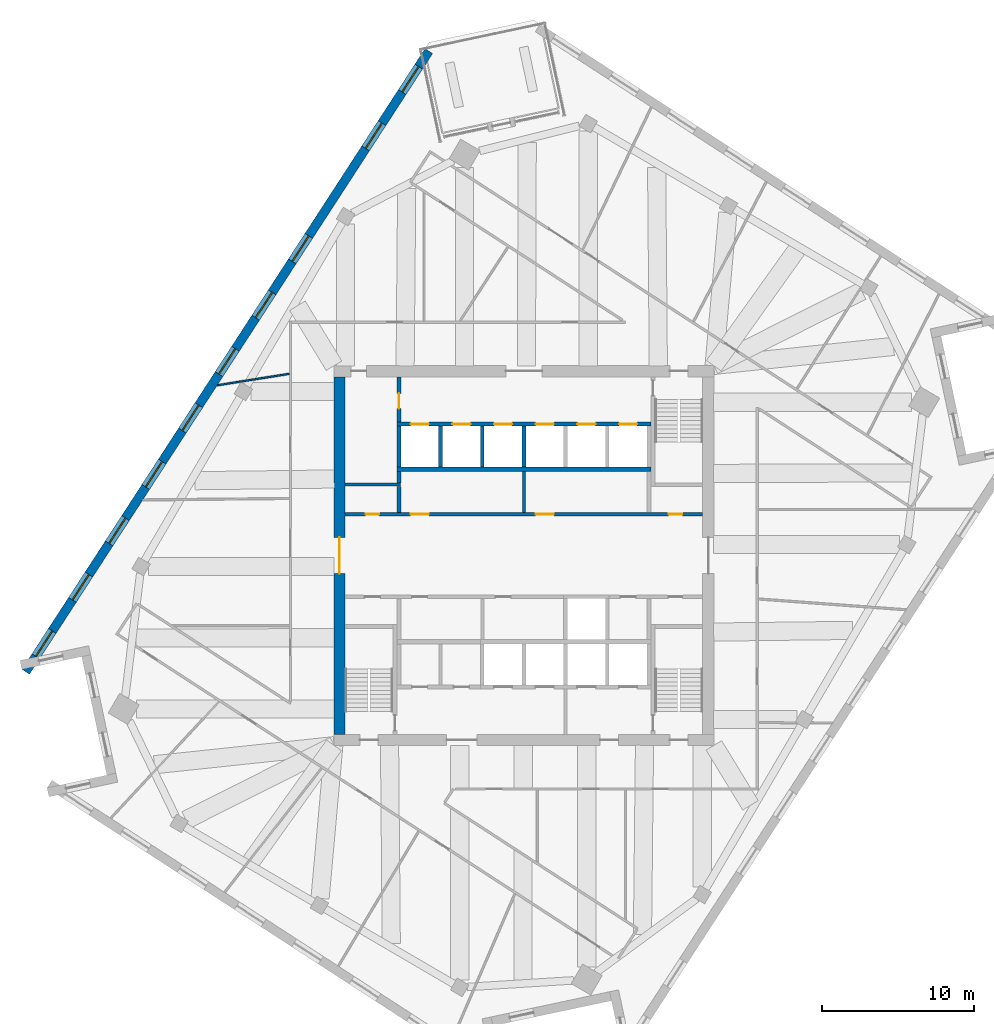
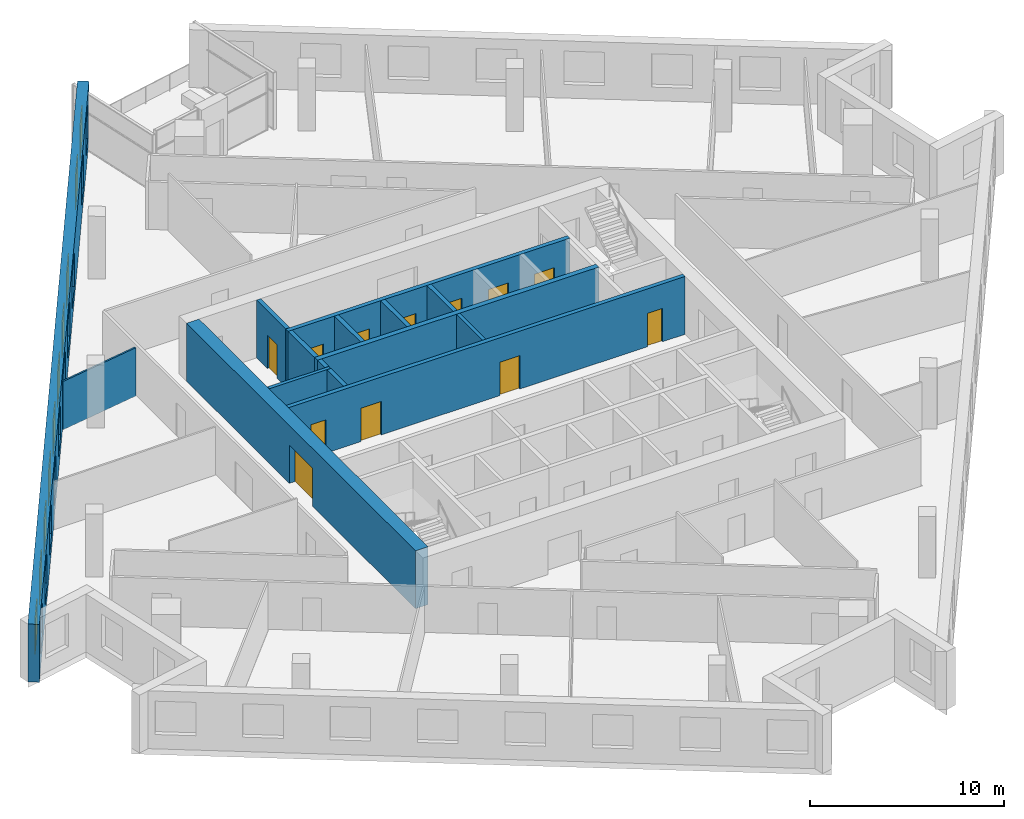
# One storey, part 8 of 12: 15 walls, 12 doors, 10 windows, 22 openings.
"""IFC4 building model written with IfcOpenShell, lengths in metres."""

from ifc_helpers import new_model, si_unit, direction, frame, frame_2d, origin, place, context, subcontext, project, spatial, rectangle, extrude, material, layer, layer_set, type_object, element, fill, save


model = new_model("IFC4")

# Units and contexts
model_context = context("Model", 3, precision=1e-05, world=origin(), true_north=direction((0.0, 1.0)))
body_context = subcontext(model_context, "Body", "Model", "MODEL_VIEW")
ifc_project = project(units=[si_unit("LENGTHUNIT", "METRE"), si_unit("AREAUNIT", "SQUARE_METRE"), si_unit("VOLUMEUNIT", "CUBIC_METRE"), si_unit("PLANEANGLEUNIT", "RADIAN"), si_unit("MASSUNIT", "GRAM", prefix="KILO")], contexts=[model_context])

# Site, building, storey
site_placement = place(None, origin())
site = spatial("IfcSite", under=ifc_project, at=site_placement, CompositionType="ELEMENT")
building_placement = place(site_placement, origin())
building = spatial("IfcBuilding", under=site, at=building_placement, Name="Dilmun Exchange Tower", CompositionType="ELEMENT")
storey_placement = place(building_placement, frame((0.0, 0.0, 254.89990234375)))
storey = spatial("IfcBuildingStorey", under=building, at=storey_placement, Name="L60", CompositionType="ELEMENT", Elevation=254.89990234375)

# Walls
ifc_material_1 = material(Name="Concrete C40/50", Category="concrete")
ifc_layer_1 = layer(ifc_material_1, 0.199951171875)
ifc_layer_set_1 = layer_set([ifc_layer_1], Name="Concrete C40/50")
wall_type_1 = type_object("IfcWallType", Name="Core partition wall 200", PredefinedType="PARTITIONING", material=ifc_layer_set_1)
wall_1_placement = place(storey_placement, frame((0.0, 2.85498046875, 0.0), z_axis=(0.0, 0.0, 1.0), x_axis=(0.0, 1.0, 0.0)))
element("IfcWall", 1, at=wall_1_placement, inside=storey, type_object=wall_type_1, Name="L60 core partition wall 13", PredefinedType="PARTITIONING", context=body_context, shape_type="SweptSolid", body=[
    extrude(rectangle(XDim=2.68994140625, YDim=0.199951171875, at=frame_2d((1.344970703125, 0.0))), origin(), (0.0, 0.0, 1.0), 3.64013671875),
])
wall_2_placement = place(storey_placement, frame((-11.794921875, 4.675048828125, 0.0), z_axis=(0.0, 0.0, 1.0), x_axis=(1.0, 0.0, 0.0)))
element("IfcWall", 2, at=wall_2_placement, inside=storey, type_object=wall_type_1, Name="L60 core partition wall 15", PredefinedType="PARTITIONING", context=body_context, shape_type="SweptSolid", body=[
    extrude(rectangle(XDim=3.64501953125, YDim=0.199951171875, at=frame_2d((1.822509765625, 0.0))), origin(), (0.0, 0.0, 1.0), 3.64013671875),
])

# Wall, openings, doors
ifc_layer_2 = layer(ifc_material_1, 0.25)
ifc_layer_set_2 = layer_set([ifc_layer_2], Name="Concrete C40/50")
wall_type_2 = type_object("IfcWallType", Name="Core partition wall 250", PredefinedType="PARTITIONING", material=ifc_layer_set_2)
wall_3_placement = place(storey_placement, frame((-11.794921875, 2.72509765625, 0.0), z_axis=(0.0, 0.0, 1.0), x_axis=(1.0, 0.0, 0.0)))
wall_3 = element("IfcWall", 3, at=wall_3_placement, inside=storey, type_object=wall_type_2, Name="L60 core partition wall 11", PredefinedType="PARTITIONING", context=body_context, shape_type="SweptSolid", body=[
    extrude(rectangle(XDim=23.58984375, YDim=0.25, at=frame_2d((11.794921875, 0.0))), origin(), (0.0, 0.0, 1.0), 3.64013671875),
])
opening_1_placement = place(wall_3_placement, frame((21.344970703125, 0.0, 0.0)))
opening_1 = element("IfcOpeningElement", 4, at=opening_1_placement, cuts=wall_3, Name="Opening CD6", PredefinedType="OPENING", context=body_context, shape_type="SweptSolid", body=[
    extrude(rectangle(XDim=0.89990234375, YDim=2.10009765625, at=frame_2d((0.449951171875, 1.050048828125))), frame((0.0, 0.135009765625, 0.0), z_axis=(0.0, -1.0, 0.0), x_axis=(1.0, 0.0, 0.0)), (0.0, 0.0, 1.0), 0.27001953125),
])
opening_2_placement = place(wall_3_placement, frame((1.344970703125, 0.0, 0.0)))
opening_2 = element("IfcOpeningElement", 5, at=opening_2_placement, cuts=wall_3, Name="Opening CD6", PredefinedType="OPENING", context=body_context, shape_type="SweptSolid", body=[
    extrude(rectangle(XDim=0.89990234375, YDim=2.10009765625, at=frame_2d((0.449951171875, 1.050048828125))), frame((0.0, 0.135009765625, 0.0), z_axis=(0.0, -1.0, 0.0), x_axis=(1.0, 0.0, 0.0)), (0.0, 0.0, 1.0), 0.27001953125),
])
opening_3_placement = place(wall_3_placement, frame((4.320068359375, 0.0, 0.0)))
opening_3 = element("IfcOpeningElement", 6, at=opening_3_placement, cuts=wall_3, Name="Opening CD3", PredefinedType="OPENING", context=body_context, shape_type="SweptSolid", body=[
    extrude(rectangle(XDim=1.199951171875, YDim=2.10009765625, at=frame_2d((0.60009765625, 1.050048828125))), frame((0.0, 0.135009765625, 0.0), z_axis=(0.0, -1.0, 0.0), x_axis=(1.0, 0.0, 0.0)), (0.0, 0.0, 1.0), 0.27001953125),
])
opening_4_placement = place(wall_3_placement, frame((12.570068359375, 0.0, 0.0)))
opening_4 = element("IfcOpeningElement", 7, at=opening_4_placement, cuts=wall_3, Name="Opening CD3", PredefinedType="OPENING", context=body_context, shape_type="SweptSolid", body=[
    extrude(rectangle(XDim=1.199951171875, YDim=2.10009765625, at=frame_2d((0.60009765625, 1.050048828125))), frame((0.0, 0.135009765625, 0.0), z_axis=(0.0, -1.0, 0.0), x_axis=(1.0, 0.0, 0.0)), (0.0, 0.0, 1.0), 0.27001953125),
])
ifc_material_2 = material(Name="Fire-rated steel door set", Category="steel")
door_type_1 = type_object("IfcDoorType", Name="Core room door 900x2100", OperationType="SINGLE_SWING_LEFT", PredefinedType="DOOR", material=ifc_material_2)
door_1_placement = place(opening_1_placement, origin())
door_1 = element("IfcDoor", 8, at=door_1_placement, inside=storey, type_object=door_type_1, Name="L60 door Electrical riser", OperationType="SINGLE_SWING_LEFT", OverallHeight=2.10009765625, OverallWidth=0.89990234375, PredefinedType="DOOR", context=body_context, shape_type="SweptSolid", body=[
    extrude(rectangle(XDim=0.89990234375, YDim=2.10009765625, at=frame_2d((0.449951171875, 1.050048828125))), frame((0.0, 0.02490234375, 0.0), z_axis=(0.0, -1.0, 0.0), x_axis=(1.0, 0.0, 0.0)), (0.0, 0.0, 1.0), 0.050048828125),
])
fill(opening_1, door_1)
door_2_placement = place(opening_2_placement, origin())
door_2 = element("IfcDoor", 9, at=door_2_placement, inside=storey, type_object=door_type_1, Name="L60 door Plumbing riser", OperationType="SINGLE_SWING_LEFT", OverallHeight=2.10009765625, OverallWidth=0.89990234375, PredefinedType="DOOR", context=body_context, shape_type="SweptSolid", body=[
    extrude(rectangle(XDim=0.89990234375, YDim=2.10009765625, at=frame_2d((0.449951171875, 1.050048828125))), frame((0.0, 0.02490234375, 0.0), z_axis=(0.0, -1.0, 0.0), x_axis=(1.0, 0.0, 0.0)), (0.0, 0.0, 1.0), 0.050048828125),
])
fill(opening_2, door_2)
door_type_2 = type_object("IfcDoorType", Name="Stair exit door 1200x2100", OperationType="SINGLE_SWING_LEFT", PredefinedType="DOOR", material=ifc_material_2)
door_3_placement = place(opening_3_placement, origin())
door_3 = element("IfcDoor", 10, at=door_3_placement, inside=storey, type_object=door_type_2, Name="L60 door Tenant amenity store", OperationType="SINGLE_SWING_LEFT", OverallHeight=2.10009765625, OverallWidth=1.199951171875, PredefinedType="DOOR", context=body_context, shape_type="SweptSolid", body=[
    extrude(rectangle(XDim=1.199951171875, YDim=2.10009765625, at=frame_2d((0.60009765625, 1.050048828125))), frame((0.0, 0.02490234375, 0.0), z_axis=(0.0, -1.0, 0.0), x_axis=(1.0, 0.0, 0.0)), (0.0, 0.0, 1.0), 0.050048828125),
])
fill(opening_3, door_3)
door_4_placement = place(opening_4_placement, origin())
door_4 = element("IfcDoor", 11, at=door_4_placement, inside=storey, type_object=door_type_2, Name="L60 door Facilities workshop", OperationType="SINGLE_SWING_LEFT", OverallHeight=2.10009765625, OverallWidth=1.199951171875, PredefinedType="DOOR", context=body_context, shape_type="SweptSolid", body=[
    extrude(rectangle(XDim=1.199951171875, YDim=2.10009765625, at=frame_2d((0.60009765625, 1.050048828125))), frame((0.0, 0.02490234375, 0.0), z_axis=(0.0, -1.0, 0.0), x_axis=(1.0, 0.0, 0.0)), (0.0, 0.0, 1.0), 0.050048828125),
])
fill(opening_4, door_4)

# Walls
wall_4_placement = place(storey_placement, frame((-8.25, 2.85498046875, 0.0), z_axis=(0.0, 0.0, 1.0), x_axis=(0.0, 1.0, 0.0)))
element("IfcWall", 12, at=wall_4_placement, inside=storey, type_object=wall_type_2, Name="L60 core partition wall 12", PredefinedType="PARTITIONING", context=body_context, shape_type="SweptSolid", body=[
    extrude(rectangle(XDim=1.715087890625, YDim=0.25, at=frame_2d((0.857421875, 0.0))), origin(), (0.0, 0.0, 1.0), 3.64013671875),
])
wall_5_placement = place(storey_placement, frame((-8.25, 4.780029296875, 0.0), z_axis=(0.0, 0.0, 1.0), x_axis=(0.0, 1.0, 0.0)))
element("IfcWall", 13, at=wall_5_placement, inside=storey, type_object=wall_type_2, Name="L60 core partition wall 16", PredefinedType="PARTITIONING", context=body_context, shape_type="SweptSolid", body=[
    extrude(rectangle(XDim=0.764892578125, YDim=0.25, at=frame_2d((0.38232421875, 0.0))), origin(), (0.0, 0.0, 1.0), 3.64013671875),
])

# Wall, opening, door
wall_6_placement = place(storey_placement, frame((-8.25, 8.804931640625, 0.0), z_axis=(0.0, 0.0, 1.0), x_axis=(0.0, 1.0, 0.0)))
wall_6 = element("IfcWall", 14, at=wall_6_placement, inside=storey, type_object=wall_type_2, Name="L60 core partition wall 17", PredefinedType="PARTITIONING", context=body_context, shape_type="SweptSolid", body=[
    extrude(rectangle(XDim=2.989990234375, YDim=0.25, at=frame_2d((1.4951171875, 0.0))), origin(), (0.0, 0.0, 1.0), 3.64013671875),
])
opening_5_placement = place(wall_6_placement, frame((0.89501953125, 0.0, 0.0)))
opening_5 = element("IfcOpeningElement", 15, at=opening_5_placement, cuts=wall_6, Name="Opening CD4", PredefinedType="OPENING", context=body_context, shape_type="SweptSolid", body=[
    extrude(rectangle(XDim=1.0, YDim=2.10009765625, at=frame_2d((0.5, 1.050048828125))), frame((0.0, 0.135009765625, 0.0), z_axis=(0.0, -1.0, 0.0), x_axis=(1.0, 0.0, 0.0)), (0.0, 0.0, 1.0), 0.27001953125),
])
door_type_3 = type_object("IfcDoorType", Name="Core room door 1000x2100", OperationType="SINGLE_SWING_LEFT", PredefinedType="DOOR", material=ifc_material_2)
door_5_placement = place(opening_5_placement, origin())
door_5 = element("IfcDoor", 16, at=door_5_placement, inside=storey, type_object=door_type_3, Name="L60 door Building services room", OperationType="SINGLE_SWING_LEFT", OverallHeight=2.10009765625, OverallWidth=1.0, PredefinedType="DOOR", context=body_context, shape_type="SweptSolid", body=[
    extrude(rectangle(XDim=1.0, YDim=2.10009765625, at=frame_2d((0.5, 1.050048828125))), frame((0.0, 0.02490234375, 0.0), z_axis=(0.0, -1.0, 0.0), x_axis=(1.0, 0.0, 0.0)), (0.0, 0.0, 1.0), 0.050048828125),
])
fill(opening_5, door_5)

ifc_material_3 = material(Name="Concrete C50/60", Category="concrete")
ifc_layer_3 = layer(ifc_material_3, 0.75)
ifc_layer_set_3 = layer_set([ifc_layer_3], Name="Concrete C50/60")
wall_type_3 = type_object("IfcWallType", Name="Core shear wall 750 Concrete C50/60", PredefinedType="SHEAR", material=ifc_layer_set_3)
wall_7_placement = place(storey_placement, frame((-12.175048828125, -11.800048828125, 0.0), z_axis=(0.0, 0.0, 1.0), x_axis=(0.0, 1.0, 0.0)))
wall_7 = element("IfcWall", 17, at=wall_7_placement, inside=storey, type_object=wall_type_3, Name="L60 core shear wall W", PredefinedType="SHEAR", context=body_context, shape_type="SweptSolid", body=[
    extrude(rectangle(XDim=23.60009765625, YDim=0.75, at=frame_2d((11.800048828125, 0.0))), origin(), (0.0, 0.0, 1.0), 3.64013671875),
])
opening_6_placement = place(wall_7_placement, frame((10.60009765625, 0.0, 0.0)))
opening_6 = element("IfcOpeningElement", 18, at=opening_6_placement, cuts=wall_7, Name="Opening CD1", PredefinedType="OPENING", context=body_context, shape_type="SweptSolid", body=[
    extrude(rectangle(XDim=2.39990234375, YDim=2.39990234375, at=frame_2d((1.199951171875, 1.199951171875))), frame((0.0, 0.385009765625, 0.0), z_axis=(0.0, -1.0, 0.0), x_axis=(1.0, 0.0, 0.0)), (0.0, 0.0, 1.0), 0.77001953125),
])
door_type_4 = type_object("IfcDoorType", Name="Core lobby door 2400x2400", OperationType="DOUBLE_DOOR_DOUBLE_SWING", PredefinedType="DOOR", material=ifc_material_2)
door_6_placement = place(opening_6_placement, origin())
door_6 = element("IfcDoor", 19, at=door_6_placement, inside=storey, type_object=door_type_4, Name="L60 door Central lift lobby", OperationType="SINGLE_SWING_LEFT", OverallHeight=2.39990234375, OverallWidth=2.39990234375, PredefinedType="DOOR", context=body_context, shape_type="SweptSolid", body=[
    extrude(rectangle(XDim=2.39990234375, YDim=2.39990234375, at=frame_2d((1.199951171875, 1.199951171875))), frame((0.0, 0.02490234375, 0.0), z_axis=(0.0, -1.0, 0.0), x_axis=(1.0, 0.0, 0.0)), (0.0, 0.0, 1.0), 0.050048828125),
])
fill(opening_6, door_6)

# Wall
ifc_layer_4 = layer(ifc_material_1, 0.300048828125)
ifc_layer_set_4 = layer_set([ifc_layer_4], Name="Concrete C40/50")
wall_type_4 = type_object("IfcWallType", Name="Lift shaft shared wall 300", PredefinedType="SOLIDWALL", material=ifc_layer_set_4)
wall_8_placement = place(storey_placement, frame((-8.375, 5.699951171875, 0.0), z_axis=(0.0, 0.0, 1.0), x_axis=(1.0, 0.0, 0.0)))
element("IfcWall", 20, at=wall_8_placement, inside=storey, type_object=wall_type_4, Name="L60 lift shaft rear wall N", PredefinedType="SOLIDWALL", context=body_context, shape_type="SweptSolid", body=[
    extrude(rectangle(XDim=16.75, YDim=0.300048828125, at=frame_2d((8.375, 0.0))), origin(), (0.0, 0.0, 1.0), 3.64013671875),
])

# Wall, openings, doors
ifc_layer_5 = layer(ifc_material_1, 0.25)
ifc_layer_set_5 = layer_set([ifc_layer_5], Name="Concrete C40/50")
wall_type_5 = type_object("IfcWallType", Name="Lift shaft wall 250", PredefinedType="SOLIDWALL", material=ifc_layer_set_5)
wall_9_placement = place(storey_placement, frame((-8.375, 8.675048828125, 0.0), z_axis=(0.0, 0.0, 1.0), x_axis=(1.0, 0.0, 0.0)))
wall_9 = element("IfcWall", 21, at=wall_9_placement, inside=storey, type_object=wall_type_5, Name="L60 lift shaft front wall N2", PredefinedType="SOLIDWALL", context=body_context, shape_type="SweptSolid", body=[
    extrude(rectangle(XDim=16.75, YDim=0.25, at=frame_2d((8.375, 0.0))), origin(), (0.0, 0.0, 1.0), 3.64013671875),
])
opening_7_placement = place(wall_9_placement, frame((0.89990234375, 0.0, 0.0)))
opening_7 = element("IfcOpeningElement", 22, at=opening_7_placement, cuts=wall_9, Name="Opening LD", PredefinedType="OPENING", context=body_context, shape_type="SweptSolid", body=[
    extrude(rectangle(XDim=1.199951171875, YDim=2.10009765625, at=frame_2d((0.60009765625, 1.050048828125))), frame((0.0, 0.135009765625, 0.0), z_axis=(0.0, -1.0, 0.0), x_axis=(1.0, 0.0, 0.0)), (0.0, 0.0, 1.0), 0.27001953125),
])
opening_8_placement = place(wall_9_placement, frame((3.64990234375, 0.0, 0.0)))
opening_8 = element("IfcOpeningElement", 23, at=opening_8_placement, cuts=wall_9, Name="Opening LD", PredefinedType="OPENING", context=body_context, shape_type="SweptSolid", body=[
    extrude(rectangle(XDim=1.199951171875, YDim=2.10009765625, at=frame_2d((0.60009765625, 1.050048828125))), frame((0.0, 0.135009765625, 0.0), z_axis=(0.0, -1.0, 0.0), x_axis=(1.0, 0.0, 0.0)), (0.0, 0.0, 1.0), 0.27001953125),
])
opening_9_placement = place(wall_9_placement, frame((6.39990234375, 0.0, 0.0)))
opening_9 = element("IfcOpeningElement", 24, at=opening_9_placement, cuts=wall_9, Name="Opening LD", PredefinedType="OPENING", context=body_context, shape_type="SweptSolid", body=[
    extrude(rectangle(XDim=1.199951171875, YDim=2.10009765625, at=frame_2d((0.60009765625, 1.050048828125))), frame((0.0, 0.135009765625, 0.0), z_axis=(0.0, -1.0, 0.0), x_axis=(1.0, 0.0, 0.0)), (0.0, 0.0, 1.0), 0.27001953125),
])
opening_10_placement = place(wall_9_placement, frame((9.14990234375, 0.0, 0.0)))
opening_10 = element("IfcOpeningElement", 25, at=opening_10_placement, cuts=wall_9, Name="Opening LD", PredefinedType="OPENING", context=body_context, shape_type="SweptSolid", body=[
    extrude(rectangle(XDim=1.199951171875, YDim=2.10009765625, at=frame_2d((0.60009765625, 1.050048828125))), frame((0.0, 0.135009765625, 0.0), z_axis=(0.0, -1.0, 0.0), x_axis=(1.0, 0.0, 0.0)), (0.0, 0.0, 1.0), 0.27001953125),
])
opening_11_placement = place(wall_9_placement, frame((11.89990234375, 0.0, 0.0)))
opening_11 = element("IfcOpeningElement", 26, at=opening_11_placement, cuts=wall_9, Name="Opening LD", PredefinedType="OPENING", context=body_context, shape_type="SweptSolid", body=[
    extrude(rectangle(XDim=1.199951171875, YDim=2.10009765625, at=frame_2d((0.60009765625, 1.050048828125))), frame((0.0, 0.135009765625, 0.0), z_axis=(0.0, -1.0, 0.0), x_axis=(1.0, 0.0, 0.0)), (0.0, 0.0, 1.0), 0.27001953125),
])
opening_12_placement = place(wall_9_placement, frame((14.64990234375, 0.0, 0.0)))
opening_12 = element("IfcOpeningElement", 27, at=opening_12_placement, cuts=wall_9, Name="Opening LD", PredefinedType="OPENING", context=body_context, shape_type="SweptSolid", body=[
    extrude(rectangle(XDim=1.199951171875, YDim=2.10009765625, at=frame_2d((0.60009765625, 1.050048828125))), frame((0.0, 0.135009765625, 0.0), z_axis=(0.0, -1.0, 0.0), x_axis=(1.0, 0.0, 0.0)), (0.0, 0.0, 1.0), 0.27001953125),
])
door_type_5 = type_object("IfcDoorType", Name="Lift landing door 1200x2100", OperationType="DOUBLE_DOOR_SLIDING", PredefinedType="DOOR", material=ifc_material_2)
door_7_placement = place(opening_7_placement, origin())
door_7 = element("IfcDoor", 28, at=door_7_placement, inside=storey, type_object=door_type_5, Name="L60 landing door HR1", OperationType="DOUBLE_DOOR_SLIDING", OverallHeight=2.10009765625, OverallWidth=1.199951171875, PredefinedType="DOOR", context=body_context, shape_type="SweptSolid", body=[
    extrude(rectangle(XDim=1.199951171875, YDim=2.10009765625, at=frame_2d((0.60009765625, 1.050048828125))), frame((0.0, 0.02490234375, 0.0), z_axis=(0.0, -1.0, 0.0), x_axis=(1.0, 0.0, 0.0)), (0.0, 0.0, 1.0), 0.050048828125),
])
fill(opening_7, door_7)
door_8_placement = place(opening_8_placement, origin())
door_8 = element("IfcDoor", 29, at=door_8_placement, inside=storey, type_object=door_type_5, Name="L60 landing door HR2", OperationType="DOUBLE_DOOR_SLIDING", OverallHeight=2.10009765625, OverallWidth=1.199951171875, PredefinedType="DOOR", context=body_context, shape_type="SweptSolid", body=[
    extrude(rectangle(XDim=1.199951171875, YDim=2.10009765625, at=frame_2d((0.60009765625, 1.050048828125))), frame((0.0, 0.02490234375, 0.0), z_axis=(0.0, -1.0, 0.0), x_axis=(1.0, 0.0, 0.0)), (0.0, 0.0, 1.0), 0.050048828125),
])
fill(opening_8, door_8)
door_9_placement = place(opening_9_placement, origin())
door_9 = element("IfcDoor", 30, at=door_9_placement, inside=storey, type_object=door_type_5, Name="L60 landing door HR3", OperationType="DOUBLE_DOOR_SLIDING", OverallHeight=2.10009765625, OverallWidth=1.199951171875, PredefinedType="DOOR", context=body_context, shape_type="SweptSolid", body=[
    extrude(rectangle(XDim=1.199951171875, YDim=2.10009765625, at=frame_2d((0.60009765625, 1.050048828125))), frame((0.0, 0.02490234375, 0.0), z_axis=(0.0, -1.0, 0.0), x_axis=(1.0, 0.0, 0.0)), (0.0, 0.0, 1.0), 0.050048828125),
])
fill(opening_9, door_9)
door_10_placement = place(opening_10_placement, origin())
door_10 = element("IfcDoor", 31, at=door_10_placement, inside=storey, type_object=door_type_5, Name="L60 landing door HR4", OperationType="DOUBLE_DOOR_SLIDING", OverallHeight=2.10009765625, OverallWidth=1.199951171875, PredefinedType="DOOR", context=body_context, shape_type="SweptSolid", body=[
    extrude(rectangle(XDim=1.199951171875, YDim=2.10009765625, at=frame_2d((0.60009765625, 1.050048828125))), frame((0.0, 0.02490234375, 0.0), z_axis=(0.0, -1.0, 0.0), x_axis=(1.0, 0.0, 0.0)), (0.0, 0.0, 1.0), 0.050048828125),
])
fill(opening_10, door_10)
door_11_placement = place(opening_11_placement, origin())
door_11 = element("IfcDoor", 32, at=door_11_placement, inside=storey, type_object=door_type_5, Name="L60 landing door HR5", OperationType="DOUBLE_DOOR_SLIDING", OverallHeight=2.10009765625, OverallWidth=1.199951171875, PredefinedType="DOOR", context=body_context, shape_type="SweptSolid", body=[
    extrude(rectangle(XDim=1.199951171875, YDim=2.10009765625, at=frame_2d((0.60009765625, 1.050048828125))), frame((0.0, 0.02490234375, 0.0), z_axis=(0.0, -1.0, 0.0), x_axis=(1.0, 0.0, 0.0)), (0.0, 0.0, 1.0), 0.050048828125),
])
fill(opening_11, door_11)
door_12_placement = place(opening_12_placement, origin())
door_12 = element("IfcDoor", 33, at=door_12_placement, inside=storey, type_object=door_type_5, Name="L60 landing door HR6", OperationType="DOUBLE_DOOR_SLIDING", OverallHeight=2.10009765625, OverallWidth=1.199951171875, PredefinedType="DOOR", context=body_context, shape_type="SweptSolid", body=[
    extrude(rectangle(XDim=1.199951171875, YDim=2.10009765625, at=frame_2d((0.60009765625, 1.050048828125))), frame((0.0, 0.02490234375, 0.0), z_axis=(0.0, -1.0, 0.0), x_axis=(1.0, 0.0, 0.0)), (0.0, 0.0, 1.0), 0.050048828125),
])
fill(opening_12, door_12)

# Walls
for number, where, z_axis, x_axis, name in (
    (34, (-8.25, 5.85009765625, 0.0), (0.0, 0.0, 1.0), (0.0, 1.0, 0.0), "L60 lift shaft divider N20"),
    (35, (-5.5, 5.85009765625, 0.0), (0.0, 0.0, 1.0), (0.0, 1.0, 0.0), "L60 lift shaft divider N21"),
    (36, (-2.75, 5.85009765625, 0.0), (0.0, 0.0, 1.0), (0.0, 1.0, 0.0), "L60 lift shaft divider N22"),
    (37, (0.0, 5.85009765625, 0.0), (0.0, 0.0, 1.0), (0.0, 1.0, 0.0), "L60 lift shaft divider N23"),
):
    element("IfcWall", number, at=place(storey_placement, frame(where, z_axis=z_axis, x_axis=x_axis)), inside=storey, type_object=wall_type_5, Name=name, PredefinedType="SOLIDWALL", context=body_context, shape_type="SweptSolid", body=[
        extrude(rectangle(XDim=2.699951171875, YDim=0.25, at=frame_2d((1.35009765625, 0.0))), origin(), (0.0, 0.0, 1.0), 3.64013671875),
    ])
ifc_material_4 = material(Name="Partition 100")
ifc_layer_6 = layer(ifc_material_4, 0.10009765625)
ifc_layer_set_6 = layer_set([ifc_layer_6], Name="Partition 100")
wall_type_6 = type_object("IfcWallType", Name="Partition 100", PredefinedType="PARTITIONING", material=ifc_layer_set_6)
wall_10_placement = place(storey_placement, frame((-20.244140625, 11.236572265625, 0.0), z_axis=(0.0, 0.0, 1.0), x_axis=(0.987553505834, 0.157283416528, 0.0)))
element("IfcWall", 38, at=wall_10_placement, inside=storey, type_object=wall_type_6, Name="Partition", PredefinedType="PARTITIONING", context=body_context, shape_type="SweptSolid", body=[
    extrude(rectangle(XDim=4.8212890625, YDim=0.10009765625, at=frame_2d((2.41064453125, 0.0))), origin(), (0.0, 0.0, 1.0), 3.0400390625),
])

# Wall, openings, windows
ifc_material_5 = material(Name="Precast concrete C50/60", Category="concrete")
ifc_layer_7 = layer(ifc_material_5, 0.60009765625)
ifc_layer_set_7 = layer_set([ifc_layer_7], Name="Precast concrete C50/60")
wall_type_7 = type_object("IfcWallType", Name="Precast stone-clad wall 600", PredefinedType="STANDARD", material=ifc_layer_set_7)
wall_11_placement = place(storey_placement, frame((-6.28125, 33.2919921875, 0.0), z_axis=(0.0, 0.0, 1.0), x_axis=(-0.544637268583, -0.838671715077, 0.0)))
wall_11 = element("IfcWall", 39, at=wall_11_placement, inside=storey, type_object=wall_type_7, Name="Facade wall L60-03", PredefinedType="STANDARD", context=body_context, shape_type="SweptSolid", body=[
    extrude(rectangle(XDim=48.84326171875, YDim=0.60009765625, at=frame_2d((24.421630859375, 0.0))), origin(), (0.0, 0.0, 1.0), 3.64013671875),
])
opening_13_placement = place(wall_11_placement, frame((1.22021484375, 0.0, 0.89990234375)))
opening_13 = element("IfcOpeningElement", 40, at=opening_13_placement, cuts=wall_11, Name="Opening W200-210", PredefinedType="OPENING", context=body_context, shape_type="SweptSolid", body=[
    extrude(rectangle(XDim=2.0, YDim=2.10009765625, at=frame_2d((1.0, 1.050048828125))), frame((0.0, 0.31005859375, 0.0), z_axis=(0.0, -1.0, 0.0), x_axis=(1.0, 0.0, 0.0)), (0.0, 0.0, 1.0), 0.6201171875),
])
opening_14_placement = place(wall_11_placement, frame((5.660400390625, 0.0, 0.89990234375)))
opening_14 = element("IfcOpeningElement", 41, at=opening_14_placement, cuts=wall_11, Name="Opening W200-210", PredefinedType="OPENING", context=body_context, shape_type="SweptSolid", body=[
    extrude(rectangle(XDim=2.0, YDim=2.10009765625, at=frame_2d((1.0, 1.050048828125))), frame((0.0, 0.31005859375, 0.0), z_axis=(0.0, -1.0, 0.0), x_axis=(1.0, 0.0, 0.0)), (0.0, 0.0, 1.0), 0.6201171875),
])
opening_15_placement = place(wall_11_placement, frame((14.541015625, 0.0, 0.89990234375)))
opening_15 = element("IfcOpeningElement", 42, at=opening_15_placement, cuts=wall_11, Name="Opening W200-210", PredefinedType="OPENING", context=body_context, shape_type="SweptSolid", body=[
    extrude(rectangle(XDim=2.0, YDim=2.10009765625, at=frame_2d((1.0, 1.050048828125))), frame((0.0, 0.31005859375, 0.0), z_axis=(0.0, -1.0, 0.0), x_axis=(1.0, 0.0, 0.0)), (0.0, 0.0, 1.0), 0.6201171875),
])
opening_16_placement = place(wall_11_placement, frame((18.981201171875, 0.0, 0.89990234375)))
opening_16 = element("IfcOpeningElement", 43, at=opening_16_placement, cuts=wall_11, Name="Opening W200-210", PredefinedType="OPENING", context=body_context, shape_type="SweptSolid", body=[
    extrude(rectangle(XDim=2.0, YDim=2.10009765625, at=frame_2d((1.0, 1.050048828125))), frame((0.0, 0.31005859375, 0.0), z_axis=(0.0, -1.0, 0.0), x_axis=(1.0, 0.0, 0.0)), (0.0, 0.0, 1.0), 0.6201171875),
])
opening_17_placement = place(wall_11_placement, frame((23.421630859375, 0.0, 0.89990234375)))
opening_17 = element("IfcOpeningElement", 44, at=opening_17_placement, cuts=wall_11, Name="Opening W200-210", PredefinedType="OPENING", context=body_context, shape_type="SweptSolid", body=[
    extrude(rectangle(XDim=2.0, YDim=2.10009765625, at=frame_2d((1.0, 1.050048828125))), frame((0.0, 0.31005859375, 0.0), z_axis=(0.0, -1.0, 0.0), x_axis=(1.0, 0.0, 0.0)), (0.0, 0.0, 1.0), 0.6201171875),
])
opening_18_placement = place(wall_11_placement, frame((27.86181640625, 0.0, 0.89990234375)))
opening_18 = element("IfcOpeningElement", 45, at=opening_18_placement, cuts=wall_11, Name="Opening W200-210", PredefinedType="OPENING", context=body_context, shape_type="SweptSolid", body=[
    extrude(rectangle(XDim=2.0, YDim=2.10009765625, at=frame_2d((1.0, 1.050048828125))), frame((0.0, 0.31005859375, 0.0), z_axis=(0.0, -1.0, 0.0), x_axis=(1.0, 0.0, 0.0)), (0.0, 0.0, 1.0), 0.6201171875),
])
opening_19_placement = place(wall_11_placement, frame((32.302001953125, 0.0, 0.89990234375)))
opening_19 = element("IfcOpeningElement", 46, at=opening_19_placement, cuts=wall_11, Name="Opening W200-210", PredefinedType="OPENING", context=body_context, shape_type="SweptSolid", body=[
    extrude(rectangle(XDim=2.0, YDim=2.10009765625, at=frame_2d((1.0, 1.050048828125))), frame((0.0, 0.31005859375, 0.0), z_axis=(0.0, -1.0, 0.0), x_axis=(1.0, 0.0, 0.0)), (0.0, 0.0, 1.0), 0.6201171875),
])
opening_20_placement = place(wall_11_placement, frame((36.742431640625, 0.0, 0.89990234375)))
opening_20 = element("IfcOpeningElement", 47, at=opening_20_placement, cuts=wall_11, Name="Opening W200-210", PredefinedType="OPENING", context=body_context, shape_type="SweptSolid", body=[
    extrude(rectangle(XDim=2.0, YDim=2.10009765625, at=frame_2d((1.0, 1.050048828125))), frame((0.0, 0.31005859375, 0.0), z_axis=(0.0, -1.0, 0.0), x_axis=(1.0, 0.0, 0.0)), (0.0, 0.0, 1.0), 0.6201171875),
])
opening_21_placement = place(wall_11_placement, frame((41.1826171875, 0.0, 0.89990234375)))
opening_21 = element("IfcOpeningElement", 48, at=opening_21_placement, cuts=wall_11, Name="Opening W200-210", PredefinedType="OPENING", context=body_context, shape_type="SweptSolid", body=[
    extrude(rectangle(XDim=2.0, YDim=2.10009765625, at=frame_2d((1.0, 1.050048828125))), frame((0.0, 0.31005859375, 0.0), z_axis=(0.0, -1.0, 0.0), x_axis=(1.0, 0.0, 0.0)), (0.0, 0.0, 1.0), 0.6201171875),
])
opening_22_placement = place(wall_11_placement, frame((45.623046875, 0.0, 0.89990234375)))
opening_22 = element("IfcOpeningElement", 49, at=opening_22_placement, cuts=wall_11, Name="Opening W200-210", PredefinedType="OPENING", context=body_context, shape_type="SweptSolid", body=[
    extrude(rectangle(XDim=2.0, YDim=2.10009765625, at=frame_2d((1.0, 1.050048828125))), frame((0.0, 0.31005859375, 0.0), z_axis=(0.0, -1.0, 0.0), x_axis=(1.0, 0.0, 0.0)), (0.0, 0.0, 1.0), 0.6201171875),
])
ifc_material_6 = material(Name="Clear low-emissivity glass in aluminium frame", Category="aluminium")
window_type = type_object("IfcWindowType", Name="Punched window 2000 x 2100", PartitioningType="DOUBLE_PANEL_VERTICAL", PredefinedType="WINDOW", material=ifc_material_6)
window_1_placement = place(opening_13_placement, origin())
window_1 = element("IfcWindow", 50, at=window_1_placement, inside=storey, type_object=window_type, Name="Window 4.1", OverallHeight=2.10009765625, OverallWidth=2.0, PartitioningType="SINGLE_PANEL", PredefinedType="WINDOW", context=body_context, shape_type="SweptSolid", body=[
    extrude(rectangle(XDim=2.0, YDim=2.10009765625, at=frame_2d((1.0, 1.050048828125))), frame((0.0, 0.030029296875, 0.0), z_axis=(0.0, -1.0, 0.0), x_axis=(1.0, 0.0, 0.0)), (0.0, 0.0, 1.0), 0.06005859375),
])
fill(opening_13, window_1)
window_2_placement = place(opening_14_placement, origin())
window_2 = element("IfcWindow", 51, at=window_2_placement, inside=storey, type_object=window_type, Name="Window 4.2", OverallHeight=2.10009765625, OverallWidth=2.0, PartitioningType="SINGLE_PANEL", PredefinedType="WINDOW", context=body_context, shape_type="SweptSolid", body=[
    extrude(rectangle(XDim=2.0, YDim=2.10009765625, at=frame_2d((1.0, 1.050048828125))), frame((0.0, 0.030029296875, 0.0), z_axis=(0.0, -1.0, 0.0), x_axis=(1.0, 0.0, 0.0)), (0.0, 0.0, 1.0), 0.06005859375),
])
fill(opening_14, window_2)
window_3_placement = place(opening_15_placement, origin())
window_3 = element("IfcWindow", 52, at=window_3_placement, inside=storey, type_object=window_type, Name="Window 4.4", OverallHeight=2.10009765625, OverallWidth=2.0, PartitioningType="SINGLE_PANEL", PredefinedType="WINDOW", context=body_context, shape_type="SweptSolid", body=[
    extrude(rectangle(XDim=2.0, YDim=2.10009765625, at=frame_2d((1.0, 1.050048828125))), frame((0.0, 0.030029296875, 0.0), z_axis=(0.0, -1.0, 0.0), x_axis=(1.0, 0.0, 0.0)), (0.0, 0.0, 1.0), 0.06005859375),
])
fill(opening_15, window_3)
window_4_placement = place(opening_16_placement, origin())
window_4 = element("IfcWindow", 53, at=window_4_placement, inside=storey, type_object=window_type, Name="Window 4.5", OverallHeight=2.10009765625, OverallWidth=2.0, PartitioningType="SINGLE_PANEL", PredefinedType="WINDOW", context=body_context, shape_type="SweptSolid", body=[
    extrude(rectangle(XDim=2.0, YDim=2.10009765625, at=frame_2d((1.0, 1.050048828125))), frame((0.0, 0.030029296875, 0.0), z_axis=(0.0, -1.0, 0.0), x_axis=(1.0, 0.0, 0.0)), (0.0, 0.0, 1.0), 0.06005859375),
])
fill(opening_16, window_4)
window_5_placement = place(opening_17_placement, origin())
window_5 = element("IfcWindow", 54, at=window_5_placement, inside=storey, type_object=window_type, Name="Window 4.6", OverallHeight=2.10009765625, OverallWidth=2.0, PartitioningType="SINGLE_PANEL", PredefinedType="WINDOW", context=body_context, shape_type="SweptSolid", body=[
    extrude(rectangle(XDim=2.0, YDim=2.10009765625, at=frame_2d((1.0, 1.050048828125))), frame((0.0, 0.030029296875, 0.0), z_axis=(0.0, -1.0, 0.0), x_axis=(1.0, 0.0, 0.0)), (0.0, 0.0, 1.0), 0.06005859375),
])
fill(opening_17, window_5)
window_6_placement = place(opening_18_placement, origin())
window_6 = element("IfcWindow", 55, at=window_6_placement, inside=storey, type_object=window_type, Name="Window 4.7", OverallHeight=2.10009765625, OverallWidth=2.0, PartitioningType="SINGLE_PANEL", PredefinedType="WINDOW", context=body_context, shape_type="SweptSolid", body=[
    extrude(rectangle(XDim=2.0, YDim=2.10009765625, at=frame_2d((1.0, 1.050048828125))), frame((0.0, 0.030029296875, 0.0), z_axis=(0.0, -1.0, 0.0), x_axis=(1.0, 0.0, 0.0)), (0.0, 0.0, 1.0), 0.06005859375),
])
fill(opening_18, window_6)
window_7_placement = place(opening_19_placement, origin())
window_7 = element("IfcWindow", 56, at=window_7_placement, inside=storey, type_object=window_type, Name="Window 4.8", OverallHeight=2.10009765625, OverallWidth=2.0, PartitioningType="SINGLE_PANEL", PredefinedType="WINDOW", context=body_context, shape_type="SweptSolid", body=[
    extrude(rectangle(XDim=2.0, YDim=2.10009765625, at=frame_2d((1.0, 1.050048828125))), frame((0.0, 0.030029296875, 0.0), z_axis=(0.0, -1.0, 0.0), x_axis=(1.0, 0.0, 0.0)), (0.0, 0.0, 1.0), 0.06005859375),
])
fill(opening_19, window_7)
window_8_placement = place(opening_20_placement, origin())
window_8 = element("IfcWindow", 57, at=window_8_placement, inside=storey, type_object=window_type, Name="Window 4.9", OverallHeight=2.10009765625, OverallWidth=2.0, PartitioningType="SINGLE_PANEL", PredefinedType="WINDOW", context=body_context, shape_type="SweptSolid", body=[
    extrude(rectangle(XDim=2.0, YDim=2.10009765625, at=frame_2d((1.0, 1.050048828125))), frame((0.0, 0.030029296875, 0.0), z_axis=(0.0, -1.0, 0.0), x_axis=(1.0, 0.0, 0.0)), (0.0, 0.0, 1.0), 0.06005859375),
])
fill(opening_20, window_8)
window_9_placement = place(opening_21_placement, origin())
window_9 = element("IfcWindow", 58, at=window_9_placement, inside=storey, type_object=window_type, Name="Window 4.10", OverallHeight=2.10009765625, OverallWidth=2.0, PartitioningType="SINGLE_PANEL", PredefinedType="WINDOW", context=body_context, shape_type="SweptSolid", body=[
    extrude(rectangle(XDim=2.0, YDim=2.10009765625, at=frame_2d((1.0, 1.050048828125))), frame((0.0, 0.030029296875, 0.0), z_axis=(0.0, -1.0, 0.0), x_axis=(1.0, 0.0, 0.0)), (0.0, 0.0, 1.0), 0.06005859375),
])
fill(opening_21, window_9)
window_10_placement = place(opening_22_placement, origin())
window_10 = element("IfcWindow", 59, at=window_10_placement, inside=storey, type_object=window_type, Name="Window 4.11", OverallHeight=2.10009765625, OverallWidth=2.0, PartitioningType="SINGLE_PANEL", PredefinedType="WINDOW", context=body_context, shape_type="SweptSolid", body=[
    extrude(rectangle(XDim=2.0, YDim=2.10009765625, at=frame_2d((1.0, 1.050048828125))), frame((0.0, 0.030029296875, 0.0), z_axis=(0.0, -1.0, 0.0), x_axis=(1.0, 0.0, 0.0)), (0.0, 0.0, 1.0), 0.06005859375),
])
fill(opening_22, window_10)

save(model, "model.ifc")
